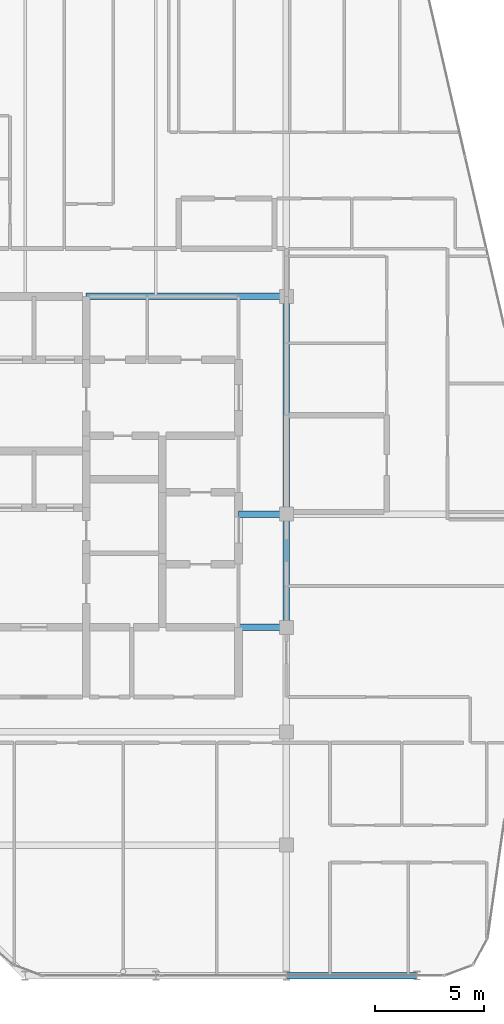
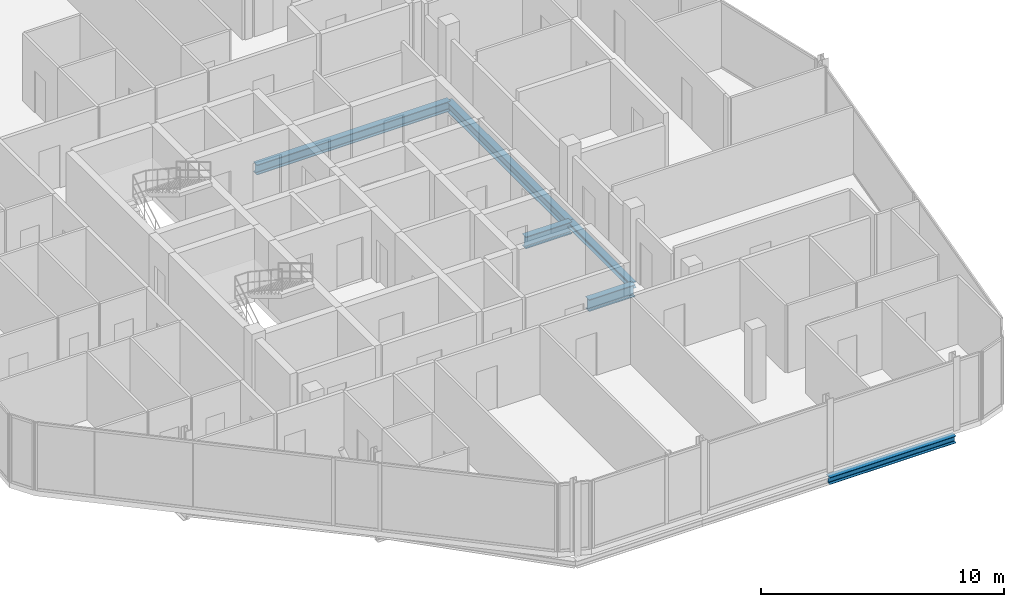
# One storey, part 11 of 27: 6 beams.
"""IFC4 building model written with IfcOpenShell, lengths in metres."""

import ifcopenshell
import ifcopenshell.guid

model = None  # the IFC model being written
_history = None  # IfcOwnerHistory: only IFC2X3 demands one
_inside = {}  # id of a spatial element -> (the spatial element, [elements in it])
_under = {}  # id of a project, library or spatial element -> (it, [spatial elements below it])
_declared = {}  # id of a project -> (the project, [libraries it declares])
_typed = {}  # id of a type object -> (the type object, [elements of that type])
_made_of = {}  # id of a material, layer set ... -> (it, [elements and type objects made of it])


def new_model(schema):
    """Start an empty IFC model of exactly this schema.

    Asked for "IFC4X3", IfcOpenShell would pick the latest addendum, in which some entities
    have other attributes; the version numbers below select the first issue.
    IFC2X3 requires an IfcOwnerHistory on every rooted entity: one is made here for all.
    """
    global model, _history
    if schema == "IFC4X3":
        model = ifcopenshell.file(schema_version=(4, 3, 0, 0))
    else:
        model = ifcopenshell.file(schema=schema)
    _inside.clear()
    _under.clear()
    _declared.clear()
    _typed.clear()
    _made_of.clear()
    _history = None
    if model.schema == "IFC2X3":
        org = make("IfcOrganization", Name="unknown")
        user = make(
            "IfcPersonAndOrganization",
            ThePerson=make("IfcPerson", FamilyName="unknown"),
            TheOrganization=org,
        )
        app = make(
            "IfcApplication",
            ApplicationDeveloper=org,
            Version="unknown",
            ApplicationFullName="unknown",
            ApplicationIdentifier="unknown",
        )
        _history = make(
            "IfcOwnerHistory",
            OwningUser=user,
            OwningApplication=app,
            ChangeAction="ADDED",
            CreationDate=0,
        )
    return model


def make(cls, **values):
    """One entity of the class cls with the attributes given. An attribute that is None is left unset."""
    return model.create_entity(
        cls, **{name: value for name, value in values.items() if value is not None}
    )


def rooted(cls, **values):
    """An entity with a GlobalId (a new one), such as an element, a storey or a relation."""
    return make(cls, GlobalId=ifcopenshell.guid.new(), OwnerHistory=_history, **values)


def si_unit(unit_type, name, prefix=None):
    """IfcSIUnit, for example si_unit("LENGTHUNIT", "METRE", prefix="MILLI")."""
    return make("IfcSIUnit", UnitType=unit_type, Prefix=prefix, Name=name)


def assignment(units):
    """IfcUnitAssignment: the units of a project."""
    return None if units is None else make("IfcUnitAssignment", Units=units)


def point(xyz):
    """IfcCartesianPoint."""
    return None if xyz is None else make("IfcCartesianPoint", Coordinates=xyz)


def direction(xyz):
    """IfcDirection."""
    return None if xyz is None else make("IfcDirection", DirectionRatios=xyz)


def frame(location, z_axis=None, x_axis=None):
    """IfcAxis2Placement3D, a coordinate frame: its origin and axes. An axis left out is left unset."""
    return make(
        "IfcAxis2Placement3D",
        Location=point(location),
        Axis=direction(z_axis),
        RefDirection=direction(x_axis),
    )


def frame_2d(location, x_axis=None):
    """IfcAxis2Placement2D, a coordinate frame in the plane: its origin and x axis."""
    return make(
        "IfcAxis2Placement2D", Location=point(location), RefDirection=direction(x_axis)
    )


def origin():
    """The frame at (0, 0, 0) with its axes left unset."""
    return frame((0.0, 0.0, 0.0))


def origin_2d():
    """The frame at (0, 0) in the plane with its x axis left unset."""
    return frame_2d((0.0, 0.0))


def place(relative_to, where):
    """IfcLocalPlacement: puts the frame where relative to a parent placement (None: the world)."""
    return make(
        "IfcLocalPlacement", PlacementRelTo=relative_to, RelativePlacement=where
    )


def context(
    kind, dimensions, precision=None, world=None, true_north=None, identifier=None
):
    """IfcGeometricRepresentationContext, for example the 3D "Model" context."""
    return make(
        "IfcGeometricRepresentationContext",
        ContextIdentifier=identifier,
        ContextType=kind,
        CoordinateSpaceDimension=dimensions,
        Precision=precision,
        WorldCoordinateSystem=world,
        TrueNorth=true_north,
    )


def subcontext(parent, identifier, kind, view, scale=None):
    """IfcGeometricRepresentationSubContext, for example "Body" below "Model"."""
    return make(
        "IfcGeometricRepresentationSubContext",
        ContextIdentifier=identifier,
        ContextType=kind,
        ParentContext=parent,
        TargetScale=scale,
        TargetView=view,
    )


def project(units=None, contexts=None):
    """IfcProject with its units and contexts."""
    return rooted(
        "IfcProject",
        Name="project",
        RepresentationContexts=contexts,
        UnitsInContext=assignment(units),
    )


def spatial(cls, under=None, at=None, **own):
    """A site, building, storey or space (cls), placed at a placement, below another one or the project."""
    s = rooted(cls, ObjectPlacement=at, **own)
    if under is not None:
        _under.setdefault(under.id(), (under, []))[1].append(s)
    return s


def profile(cls, at=None, kind="AREA", **sizes):
    """A parametric profile (cls). Its sizes go by their IFC names, for example OverallWidth=200.0."""
    return make(cls, ProfileType=kind, Position=at, **sizes)


def i_section(**sizes):
    """IfcIShapeProfileDef."""
    return profile("IfcIShapeProfileDef", **sizes)


def extrude(swept, where, along, depth):
    """IfcExtrudedAreaSolid: the profile swept, set in the frame where, extruded along a direction by depth."""
    return make(
        "IfcExtrudedAreaSolid",
        SweptArea=swept,
        Position=where,
        ExtrudedDirection=direction(along),
        Depth=depth,
    )


def shape(context_of_items, identifier, shape_type, items):
    """IfcShapeRepresentation: the items that make up one representation, for example the "Body"."""
    return make(
        "IfcShapeRepresentation",
        ContextOfItems=context_of_items,
        RepresentationIdentifier=identifier,
        RepresentationType=shape_type,
        Items=items,
    )


def material(Name=None, Category=None):
    """IfcMaterial."""
    return make("IfcMaterial", Name=Name, Category=Category)


def material_profile(
    of_material, cross_section, Name=None, Category=None, Priority=None
):
    """IfcMaterialProfile: a cross section and its material."""
    return make(
        "IfcMaterialProfile",
        Name=Name,
        Material=of_material,
        Profile=cross_section,
        Priority=Priority,
        Category=Category,
    )


def profile_set(profiles, Name=None, composite=None):
    """IfcMaterialProfileSet."""
    return make(
        "IfcMaterialProfileSet",
        Name=Name,
        MaterialProfiles=profiles,
        CompositeProfile=composite,
    )


def made_of(thing, what):
    """Note that an element or type object is made of a material, layer set ...; save() writes the relation."""
    if what is not None:
        _made_of.setdefault(what.id(), (what, []))[1].append(thing)
    return thing


def type_object(cls, material=None, **own):
    """A type object (cls), such as IfcWallType, which elements share."""
    return made_of(rooted(cls, **own), material)


def element(
    cls,
    number,
    at=None,
    inside=None,
    cuts=None,
    type_object=None,
    material=None,
    context=None,
    identifier="Body",
    shape_type=None,
    held_by="IfcProductDefinitionShape",
    body=None,
    shapes=None,
    **own,
):
    """One element of the class cls, such as IfcWall. Its Tag is "e" and its number.

    at: its placement. inside: the storey or other place that contains it. cuts: it is an
    opening in that element (IfcRelVoidsElement). A single representation is given by context,
    identifier, shape_type and body (its items); several are given by shapes. held_by: the class
    of the entity that holds the representations. save() writes the other relations.
    """
    e = rooted(cls, Tag="e%d" % number, ObjectPlacement=at, **own)
    if body is not None:
        shapes = [shape(context, identifier, shape_type, body)]
    if shapes is not None:
        e.Representation = make(held_by, Representations=shapes)
    if inside is not None:
        _inside.setdefault(inside.id(), (inside, []))[1].append(e)
    if cuts is not None:
        rooted(
            "IfcRelVoidsElement", RelatingBuildingElement=cuts, RelatedOpeningElement=e
        )
    if type_object is not None:
        _typed.setdefault(type_object.id(), (type_object, []))[1].append(e)
    return made_of(e, material)


def aggregate(whole, parts):
    """IfcRelAggregates: a whole, such as a stair, and the parts it consists of."""
    return rooted("IfcRelAggregates", RelatingObject=whole, RelatedObjects=parts)


def save(model, path):
    """Write the relations noted so far, then the file.

    IfcRelAggregates (storeys below a building ...), IfcRelContainedInSpatialStructure (elements
    in a storey), IfcRelDefinesByType, IfcRelAssociatesMaterial and IfcRelDeclares: one each for
    every whole, place, type object, material and project.
    """
    for whole, parts in _under.values():
        aggregate(whole, parts)
    for where, things in _inside.values():
        rooted(
            "IfcRelContainedInSpatialStructure",
            RelatedElements=things,
            RelatingStructure=where,
        )
    for kind, things in _typed.values():
        rooted("IfcRelDefinesByType", RelatedObjects=things, RelatingType=kind)
    for what, things in _made_of.values():
        rooted("IfcRelAssociatesMaterial", RelatedObjects=things, RelatingMaterial=what)
    for by, libraries in _declared.values():
        rooted("IfcRelDeclares", RelatingContext=by, RelatedDefinitions=libraries)
    model.write(path)


model = new_model("IFC4")

# Units and contexts
model_context = context("Model", 3, precision=1e-05, world=origin(), true_north=direction((0.0, 1.0)))
body_context = subcontext(model_context, "Body", "Model", "MODEL_VIEW")
ifc_project = project(units=[si_unit("LENGTHUNIT", "METRE"), si_unit("AREAUNIT", "SQUARE_METRE"), si_unit("VOLUMEUNIT", "CUBIC_METRE"), si_unit("PLANEANGLEUNIT", "RADIAN"), si_unit("MASSUNIT", "GRAM", prefix="KILO")], contexts=[model_context])

# Site, building, storey
site_placement = place(None, origin())
site = spatial("IfcSite", under=ifc_project, at=site_placement, CompositionType="ELEMENT")
building_placement = place(site_placement, origin())
building = spatial("IfcBuilding", under=site, at=building_placement, Name="Keshet Zoharim Tower", CompositionType="ELEMENT")
storey_placement = place(building_placement, frame((0.0, 0.0, 291.699951171875)))
storey = spatial("IfcBuildingStorey", under=building, at=storey_placement, Name="L73", CompositionType="ELEMENT", Elevation=291.699951171875)

# Beams
ifc_material = material(Name="Steel S355", Category="steel")
ifc_material_profile_1 = material_profile(ifc_material, i_section(OverallWidth=0.300048828125, OverallDepth=0.60009765625, WebThickness=0.015380859375, FlangeThickness=0.030029296875, FilletRadius=0.027099609375, at=origin_2d()), Name="HEB600")
ifc_profile_set_1 = profile_set([ifc_material_profile_1], Name="Steel S355")
beam_type_1 = type_object("IfcBeamType", Name="BM-CLK-HB600", PredefinedType="BEAM", material=ifc_profile_set_1)
for number, where, z_axis, x_axis, name in (
    (1, (30.800048828125, 22.699951171875, -0.60986328125), (1.0, 0.0, 0.0), (0.0, 1.0, 0.0), "L73 Core Wall Link Girder 01"),
    (2, (30.800048828125, 27.89990234375, -0.60986328125), (1.0, 0.0, 0.0), (0.0, 1.0, 0.0), "L73 Core Wall Link Girder 02"),
):
    element("IfcBeam", number, at=place(storey_placement, frame(where, z_axis=z_axis, x_axis=x_axis)), inside=storey, type_object=beam_type_1, Name=name, PredefinedType="BEAM", context=body_context, shape_type="SweptSolid", body=[
        extrude(i_section(OverallWidth=0.300048828125, OverallDepth=0.60009765625, WebThickness=0.015380859375, FlangeThickness=0.030029296875, FilletRadius=0.027099609375, at=origin_2d()), origin(), (0.0, 0.0, 1.0), 2.199951171875),
    ])
ifc_material_profile_2 = material_profile(ifc_material, i_section(OverallWidth=0.300048828125, OverallDepth=0.5, WebThickness=0.014404296875, FlangeThickness=0.028076171875, FilletRadius=0.027099609375, at=origin_2d()), Name="HEB500")
ifc_profile_set_2 = profile_set([ifc_material_profile_2], Name="Steel S355")
beam_type_2 = type_object("IfcBeamType", Name="BM-MED-HB500", PredefinedType="BEAM", material=ifc_profile_set_2)
beam_1_placement = place(storey_placement, frame((23.800048828125, 37.89990234375, -0.56005859375), z_axis=(1.0, 0.0, 0.0), x_axis=(0.0, 1.0, 0.0)))
element("IfcBeam", 3, at=beam_1_placement, inside=storey, type_object=beam_type_2, Name="L73 Primary Girder X-009", PredefinedType="BEAM", context=body_context, shape_type="SweptSolid", body=[
    extrude(i_section(OverallWidth=0.300048828125, OverallDepth=0.5, WebThickness=0.014404296875, FlangeThickness=0.028076171875, FilletRadius=0.027099609375, at=origin_2d()), origin(), (0.0, 0.0, 1.0), 9.199951171875),
])
beam_2_placement = place(storey_placement, frame((33.0, 27.89990234375, -0.56005859375), z_axis=(0.0, 1.0, 0.0), x_axis=(-1.0, 0.0, 0.0)))
element("IfcBeam", 4, at=beam_2_placement, inside=storey, type_object=beam_type_2, Name="L73 Primary Girder Y-008", PredefinedType="BEAM", context=body_context, shape_type="SweptSolid", body=[
    extrude(i_section(OverallWidth=0.300048828125, OverallDepth=0.5, WebThickness=0.014404296875, FlangeThickness=0.028076171875, FilletRadius=0.027099609375, at=origin_2d()), origin(), (0.0, 0.0, 1.0), 10.0),
])
ifc_material_profile_3 = material_profile(ifc_material, i_section(OverallWidth=0.300048828125, OverallDepth=0.2900390625, WebThickness=0.008544921875, FlangeThickness=0.013916015625, FilletRadius=0.027099609375, at=origin_2d()), Name="HEA300")
ifc_profile_set_3 = profile_set([ifc_material_profile_3], Name="Steel S355")
beam_type_3 = type_object("IfcBeamType", Name="BM-PRI-HA300", PredefinedType="BEAM", material=ifc_profile_set_3)
beam_3_placement = place(storey_placement, frame((33.0, 22.699951171875, -0.454833984375), z_axis=(0.0, 1.0, 0.0), x_axis=(-1.0, 0.0, 0.0)))
element("IfcBeam", 5, at=beam_3_placement, inside=storey, type_object=beam_type_3, Name="L73 Primary Girder Y-007", PredefinedType="BEAM", context=body_context, shape_type="SweptSolid", body=[
    extrude(i_section(OverallWidth=0.300048828125, OverallDepth=0.2900390625, WebThickness=0.008544921875, FlangeThickness=0.013916015625, FilletRadius=0.027099609375, at=origin_2d()), origin(), (0.0, 0.0, 1.0), 5.199951171875),
])
ifc_material_profile_4 = material_profile(ifc_material, i_section(OverallWidth=0.300048828125, OverallDepth=0.35009765625, WebThickness=0.010009765625, FlangeThickness=0.017578125, FilletRadius=0.027099609375, at=origin_2d()), Name="HEA360")
ifc_profile_set_4 = profile_set([ifc_material_profile_4], Name="Steel S355")
beam_type_4 = type_object("IfcBeamType", Name="BM-PRI-HA360", PredefinedType="BEAM", material=ifc_profile_set_4)
beam_4_placement = place(storey_placement, frame((33.0, 6.699951171875, -0.48486328125), z_axis=(1.0, 0.0, 0.0), x_axis=(0.0, 1.0, 0.0)))
element("IfcBeam", 6, at=beam_4_placement, inside=storey, type_object=beam_type_4, Name="L73 Primary Girder X-003", PredefinedType="BEAM", context=body_context, shape_type="SweptSolid", body=[
    extrude(i_section(OverallWidth=0.300048828125, OverallDepth=0.35009765625, WebThickness=0.010009765625, FlangeThickness=0.017578125, FilletRadius=0.027099609375, at=origin_2d()), origin(), (0.0, 0.0, 1.0), 6.0),
])

save(model, "model.ifc")
